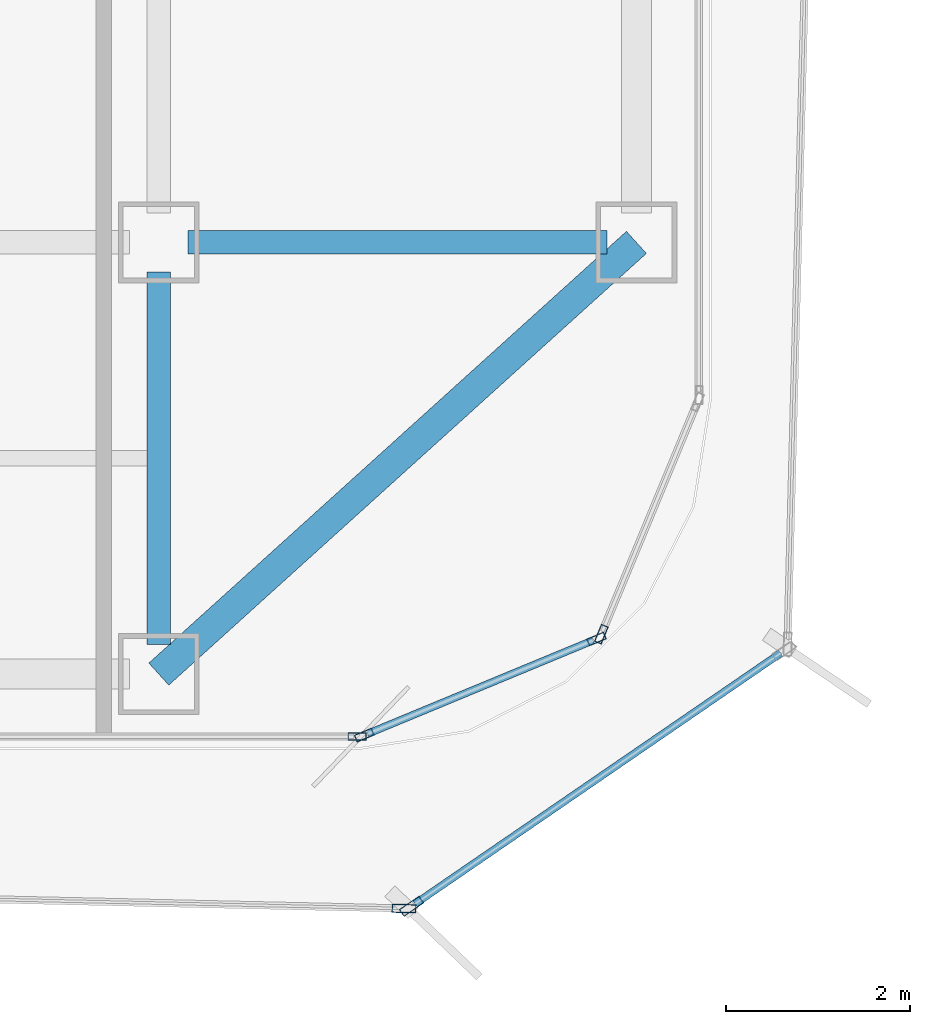
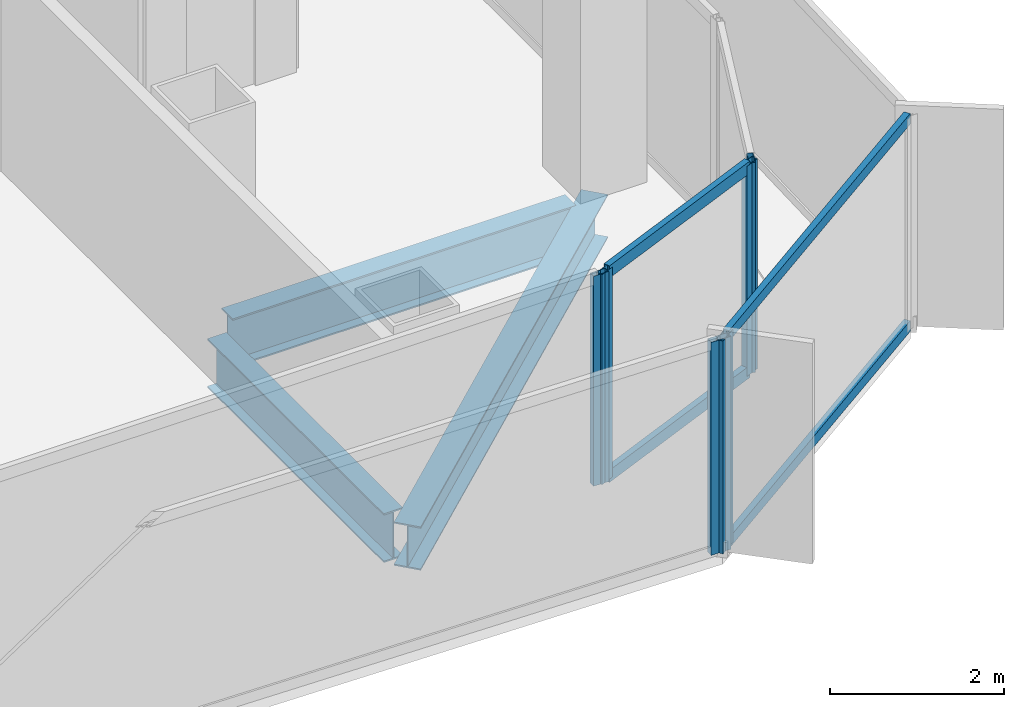
# One storey, part 6 of 21: 10 members, 3 beams, 5 elements without a shape of their own.
"""IFC4 building model written with IfcOpenShell, lengths in metres."""

from ifc_helpers import new_model, si_unit, direction, frame, origin, origin_2d, place, context, subcontext, project, spatial, hollow_rectangle, i_section, extrude, source, transform, mapped, material, layer, layer_set, material_profile, profile_set, type_object, element, aggregate, save


model = new_model("IFC4")

# Units and contexts
model_context = context("Model", 3, precision=1e-05, world=origin(), true_north=direction((0.0, 1.0)))
body_context = subcontext(model_context, "Body", "Model", "MODEL_VIEW")
ifc_project = project(units=[si_unit("LENGTHUNIT", "METRE"), si_unit("AREAUNIT", "SQUARE_METRE"), si_unit("VOLUMEUNIT", "CUBIC_METRE"), si_unit("PLANEANGLEUNIT", "RADIAN"), si_unit("MASSUNIT", "GRAM", prefix="KILO")], contexts=[model_context])

# Site, building, storey
site_placement = place(None, origin())
site = spatial("IfcSite", under=ifc_project, at=site_placement, CompositionType="ELEMENT")
building_placement = place(site_placement, origin())
building = spatial("IfcBuilding", under=site, at=building_placement, Name="Kolveth Station Tower", CompositionType="ELEMENT")
storey_placement = place(building_placement, frame((0.0, 0.0, 134.300048828125)))
storey = spatial("IfcBuildingStorey", under=building, at=storey_placement, Name="L37", CompositionType="ELEMENT", Elevation=134.300048828125)

# Beams
ifc_material_1 = material(Name="Steel S355", Category="steel")
ifc_material_profile_1 = material_profile(ifc_material_1, i_section(OverallWidth=0.323974609375, OverallDepth=0.611083984375, WebThickness=0.0126953125, FlangeThickness=0.01904296875, at=origin_2d()), Name="W610x155")
ifc_profile_set_1 = profile_set([ifc_material_profile_1], Name="Steel S355")
beam_type_1 = type_object("IfcBeamType", Name="Beam_SP2", PredefinedType="SPANDREL", material=ifc_profile_set_1)
shared_shape_1 = source(origin(), body_context, "Body", "SweptSolid", [
    extrude(i_section(OverallWidth=0.323974609375, OverallDepth=0.611083984375, WebThickness=0.0126953125, FlangeThickness=0.01904296875, at=origin_2d()), origin(), (0.0, 0.0, 1.0), 7.00927734375),
])
beam_1_placement = place(storey_placement, frame((41.0, 0.800048828125, -0.5556640625), z_axis=(0.741874009795, 0.670539300557, 0.0), x_axis=(-0.670539300557, 0.741874009795, 0.0)))
element("IfcBeam", 1, at=beam_1_placement, inside=storey, type_object=beam_type_1, Name="L37 Corner Edge Girder BM-L37-CNR-SE", PredefinedType="SPANDREL", context=body_context, shape_type="MappedRepresentation", body=[
    mapped(shared_shape_1, transform((0.0, 0.0, 0.0), x_axis=(1.0, 0.0, 0.0), y_axis=(0.0, 1.0, 0.0), z_axis=(0.0, 0.0, 1.0), scale=1.0)),
])
ifc_material_profile_2 = material_profile(ifc_material_1, i_section(OverallWidth=0.25390625, OverallDepth=0.68798828125, WebThickness=0.01318359375, FlangeThickness=0.02099609375, at=origin_2d()), Name="W690x152")
ifc_profile_set_2 = profile_set([ifc_material_profile_2], Name="Steel S355")
beam_type_2 = type_object("IfcBeamType", Name="Beam_B4", PredefinedType="BEAM", material=ifc_profile_set_2)
shared_shape_2 = source(origin(), body_context, "Body", "SweptSolid", [
    extrude(i_section(OverallWidth=0.25390625, OverallDepth=0.68798828125, WebThickness=0.01318359375, FlangeThickness=0.02099609375, at=origin_2d()), origin(), (0.0, 0.0, 1.0), 4.559814453125),
])
beam_2_placement = place(storey_placement, frame((41.320068359375, 5.5, -0.593994140625), z_axis=(1.0, 0.0, 0.0), x_axis=(0.0, 1.0, 0.0)))
element("IfcBeam", 2, at=beam_2_placement, inside=storey, type_object=beam_type_2, Name="L37 Primary Girder BM-L37-GY55-7", PredefinedType="BEAM", context=body_context, shape_type="MappedRepresentation", body=[
    mapped(shared_shape_2, transform((0.0, 0.0, 0.0), x_axis=(1.0, 0.0, 0.0), y_axis=(0.0, 1.0, 0.0), z_axis=(0.0, 0.0, 1.0), scale=1.0)),
])
shared_shape_3 = source(origin(), body_context, "Body", "SweptSolid", [
    extrude(i_section(OverallWidth=0.25390625, OverallDepth=0.68798828125, WebThickness=0.01318359375, FlangeThickness=0.02099609375, at=origin_2d()), origin(), (0.0, 0.0, 1.0), 4.059814453125),
])
beam_3_placement = place(storey_placement, frame((41.0, 1.1201171875, -0.593994140625), z_axis=(0.0, 1.0, 0.0), x_axis=(-1.0, 0.0, 0.0)))
element("IfcBeam", 3, at=beam_3_placement, inside=storey, type_object=beam_type_2, Name="L37 Primary Girder BM-L37-GX410-1", PredefinedType="BEAM", context=body_context, shape_type="MappedRepresentation", body=[
    mapped(shared_shape_3, transform((0.0, 0.0, 0.0), x_axis=(1.0, 0.0, 0.0), y_axis=(0.0, 1.0, 0.0), z_axis=(0.0, 0.0, 1.0), scale=1.0)),
])

# Curtain wall, members
ifc_material_2 = material(Name="Aluminium 6063-T6 and low-E dark glass", Category="aluminium")
ifc_layer_1 = layer(ifc_material_2, 0.18994140625)
ifc_layer_set_1 = layer_set([ifc_layer_1], Name="Aluminium 6063-T6 and low-E dark glass")
curtain_wall_type_1 = type_object("IfcCurtainWallType", Name="CurtainWall_CW-Z2", PredefinedType="NOTDEFINED", material=ifc_layer_set_1)
curtain_wall_1_placement = place(storey_placement, origin())
curtain_wall_1 = element("IfcCurtainWall", 4, at=curtain_wall_1_placement, inside=storey, type_object=curtain_wall_type_1, Name="L37 Inner Thermal Curtain Wall 1", PredefinedType="NOTDEFINED")
ifc_material_3 = material(Name="Black anodized aluminium 6063-T6", Category="aluminium")
ifc_material_profile_3 = material_profile(ifc_material_3, hollow_rectangle(XDim=0.080078125, YDim=0.199951171875, WallThickness=0.0048828125, at=origin_2d()), Name="ALU-80x200x5")
ifc_profile_set_3 = profile_set([ifc_material_profile_3], Name="Black anodized aluminium 6063-T6")
member_type_1 = type_object("IfcMemberType", Name="Mullion_ML2", PredefinedType="MULLION", material=ifc_profile_set_3)
shared_shape_4 = source(origin(), body_context, "Body", "SweptSolid", [
    extrude(hollow_rectangle(XDim=0.080078125, YDim=0.199951171875, WallThickness=0.0048828125, at=origin_2d()), origin(), (0.0, 0.0, 1.0), 2.949951171875),
])
member_1_placement = place(storey_placement, frame((43.237060546875, 0.13525390625, 0.0), z_axis=(0.0, 0.0, 1.0), x_axis=(-0.38266326998, 0.923887883787, 0.0)))
member_1 = element("IfcMember", 5, at=member_1_placement, type_object=member_type_1, Name="CW-Z2 mullion 1", PredefinedType="MULLION", context=body_context, shape_type="MappedRepresentation", body=[
    mapped(shared_shape_4, transform((0.0, 0.0, 0.0), x_axis=(1.0, 0.0, 0.0), y_axis=(0.0, 1.0, 0.0), z_axis=(0.0, 0.0, 1.0), scale=1.0)),
])
member_2_placement = place(storey_placement, frame((45.76513671875, 1.182373046875, 0.0), z_axis=(0.0, 0.0, 1.0), x_axis=(-0.38266326998, 0.923887883787, 0.0)))
member_2 = element("IfcMember", 6, at=member_2_placement, type_object=member_type_1, Name="CW-Z2 mullion 2", PredefinedType="MULLION", context=body_context, shape_type="MappedRepresentation", body=[
    mapped(shared_shape_4, transform((0.0, 0.0, 0.0), x_axis=(1.0, 0.0, 0.0), y_axis=(0.0, 1.0, 0.0), z_axis=(0.0, 0.0, 1.0), scale=1.0)),
])

# Curtain wall, member
curtain_wall_2_placement = place(storey_placement, origin())
curtain_wall_2 = element("IfcCurtainWall", 7, at=curtain_wall_2_placement, inside=storey, type_object=curtain_wall_type_1, Name="L37 Inner Thermal Curtain Wall 2", PredefinedType="NOTDEFINED")
member_3_placement = place(storey_placement, frame((45.817626953125, 1.23486328125, 0.0), z_axis=(0.0, 0.0, 1.0), x_axis=(-0.923887883787, 0.38266326998, 0.0)))
member_3 = element("IfcMember", 8, at=member_3_placement, type_object=member_type_1, Name="CW-Z2 mullion 1", PredefinedType="MULLION", context=body_context, shape_type="MappedRepresentation", body=[
    mapped(shared_shape_4, transform((0.0, 0.0, 0.0), x_axis=(1.0, 0.0, 0.0), y_axis=(0.0, 1.0, 0.0), z_axis=(0.0, 0.0, 1.0), scale=1.0)),
])
aggregate(curtain_wall_2, [member_3])

curtain_wall_3_placement = place(storey_placement, origin())
curtain_wall_3 = element("IfcCurtainWall", 9, at=curtain_wall_3_placement, inside=storey, type_object=curtain_wall_type_1, Name="L37 Inner Thermal Curtain Wall 12", PredefinedType="NOTDEFINED")
member_4_placement = place(storey_placement, frame((43.159912109375, 0.1201171875, 0.0), z_axis=(0.0, 0.0, 1.0), x_axis=(0.0, 1.0, 0.0)))
member_4 = element("IfcMember", 10, at=member_4_placement, type_object=member_type_1, Name="CW-Z2 mullion 3", PredefinedType="MULLION", context=body_context, shape_type="MappedRepresentation", body=[
    mapped(shared_shape_4, transform((0.0, 0.0, 0.0), x_axis=(1.0, 0.0, 0.0), y_axis=(0.0, 1.0, 0.0), z_axis=(0.0, 0.0, 1.0), scale=1.0)),
])
aggregate(curtain_wall_3, [member_4])

# Member
ifc_material_profile_4 = material_profile(ifc_material_3, hollow_rectangle(XDim=0.080078125, YDim=0.169921875, WallThickness=0.0048828125, at=origin_2d()), Name="ALU-80x170x5")
ifc_profile_set_4 = profile_set([ifc_material_profile_4], Name="Black anodized aluminium 6063-T6")
member_type_2 = type_object("IfcMemberType", Name="Transom_TR2", PredefinedType="USERDEFINED", material=ifc_profile_set_4)
shared_shape_5 = source(origin(), body_context, "Body", "SweptSolid", [
    extrude(hollow_rectangle(XDim=0.080078125, YDim=0.169921875, WallThickness=0.0048828125, at=origin_2d()), origin(), (0.0, 0.0, 1.0), 2.656494140625),
])
member_5_placement = place(storey_placement, frame((43.27392578125, 0.150634765625, 0.0400390625), z_axis=(0.923882422403, 0.382676455475, 0.0), x_axis=(-0.382676455475, 0.923882422403, 0.0)))
member_5 = element("IfcMember", 11, at=member_5_placement, type_object=member_type_2, Name="CW-Z2 transom 1.1", ObjectType="TRANSOM", PredefinedType="USERDEFINED", context=body_context, shape_type="MappedRepresentation", body=[
    mapped(shared_shape_5, transform((0.0, 0.0, 0.0), x_axis=(1.0, 0.0, 0.0), y_axis=(0.0, 1.0, 0.0), z_axis=(0.0, 0.0, 1.0), scale=1.0)),
])

member_6_placement = place(storey_placement, frame((43.27392578125, 0.150634765625, 2.909912109375), z_axis=(0.923882422403, 0.382676455475, 0.0), x_axis=(-0.382676455475, 0.923882422403, 0.0)))
member_6 = element("IfcMember", 12, at=member_6_placement, type_object=member_type_2, Name="CW-Z2 transom 1.2", ObjectType="TRANSOM", PredefinedType="USERDEFINED", context=body_context, shape_type="MappedRepresentation", body=[
    mapped(shared_shape_5, transform((0.0, 0.0, 0.0), x_axis=(1.0, 0.0, 0.0), y_axis=(0.0, 1.0, 0.0), z_axis=(0.0, 0.0, 1.0), scale=1.0)),
])

aggregate(curtain_wall_1, [member_1, member_2, member_5, member_6])

# Curtain wall, member
ifc_material_4 = material(Name="Black anodized aluminium 6063-T6 and dark solar glass", Category="aluminium")
ifc_layer_2 = layer(ifc_material_4, 0.159912109375)
ifc_layer_set_2 = layer_set([ifc_layer_2], Name="Black anodized aluminium 6063-T6 and dark solar glass")
curtain_wall_type_2 = type_object("IfcCurtainWallType", Name="OUTER SKIN CW-OS", PredefinedType="NOTDEFINED", material=ifc_layer_set_2)
curtain_wall_4_placement = place(storey_placement, origin())
curtain_wall_4 = element("IfcCurtainWall", 13, at=curtain_wall_4_placement, inside=storey, type_object=curtain_wall_type_2, Name="L37 Outer Ventilated Skin Curtain Wall 1", PredefinedType="NOTDEFINED")
ifc_material_profile_5 = material_profile(ifc_material_3, hollow_rectangle(XDim=0.090087890625, YDim=0.260009765625, WallThickness=0.0048828125, at=origin_2d()), Name="ALU-90x260x5")
ifc_profile_set_5 = profile_set([ifc_material_profile_5], Name="Black anodized aluminium 6063-T6")
member_type_3 = type_object("IfcMemberType", Name="FIN MULLION ML-OS", PredefinedType="MULLION", material=ifc_profile_set_5)
shared_shape_6 = source(origin(), body_context, "Body", "SweptSolid", [
    extrude(hollow_rectangle(XDim=0.090087890625, YDim=0.260009765625, WallThickness=0.0048828125, at=origin_2d()), origin(), (0.0, 0.0, 1.0), 2.989990234375),
])
member_7_placement = place(storey_placement, frame((43.75146484375, -1.727783203125, 0.0), z_axis=(0.0, 0.0, 1.0), x_axis=(-0.565598966987, 0.824680428132, 0.0)))
member_7 = element("IfcMember", 14, at=member_7_placement, type_object=member_type_3, Name="CW-OS mullion 1", PredefinedType="MULLION", context=body_context, shape_type="MappedRepresentation", body=[
    mapped(shared_shape_6, transform((0.0, 0.0, 0.0), x_axis=(1.0, 0.0, 0.0), y_axis=(0.0, 1.0, 0.0), z_axis=(0.0, 0.0, 1.0), scale=1.0)),
])

curtain_wall_5_placement = place(storey_placement, origin())
curtain_wall_5 = element("IfcCurtainWall", 15, at=curtain_wall_5_placement, inside=storey, type_object=curtain_wall_type_2, Name="L37 Outer Ventilated Skin Curtain Wall 8", PredefinedType="NOTDEFINED")
member_8_placement = place(storey_placement, frame((43.66943359375, -1.752197265625, 0.0), z_axis=(0.0, 0.0, 1.0), x_axis=(0.022083581739, 0.999756127972, 0.0)))
member_8 = element("IfcMember", 16, at=member_8_placement, type_object=member_type_3, Name="CW-OS mullion 2", PredefinedType="MULLION", context=body_context, shape_type="MappedRepresentation", body=[
    mapped(shared_shape_6, transform((0.0, 0.0, 0.0), x_axis=(1.0, 0.0, 0.0), y_axis=(0.0, 1.0, 0.0), z_axis=(0.0, 0.0, 1.0), scale=1.0)),
])
aggregate(curtain_wall_5, [member_8])

# Member
ifc_material_profile_6 = material_profile(ifc_material_3, hollow_rectangle(XDim=0.080078125, YDim=0.14990234375, WallThickness=0.0048828125, at=origin_2d()), Name="ALU-80x150x5")
ifc_profile_set_6 = profile_set([ifc_material_profile_6], Name="Black anodized aluminium 6063-T6")
member_type_4 = type_object("IfcMemberType", Name="Transom_TR-OS", PredefinedType="USERDEFINED", material=ifc_profile_set_6)
shared_shape_7 = source(origin(), body_context, "Body", "SweptSolid", [
    extrude(hollow_rectangle(XDim=0.080078125, YDim=0.14990234375, WallThickness=0.0048828125, at=origin_2d()), origin(), (0.0, 0.0, 1.0), 4.8291015625),
])
member_9_placement = place(storey_placement, frame((43.78857421875, -1.702392578125, 0.0400390625), z_axis=(0.824690447742, 0.56558435746, 0.0), x_axis=(-0.56558435746, 0.824690447742, 0.0)))
member_9 = element("IfcMember", 17, at=member_9_placement, type_object=member_type_4, Name="CW-OS transom 1.1", ObjectType="TRANSOM", PredefinedType="USERDEFINED", context=body_context, shape_type="MappedRepresentation", body=[
    mapped(shared_shape_7, transform((0.0, 0.0, 0.0), x_axis=(1.0, 0.0, 0.0), y_axis=(0.0, 1.0, 0.0), z_axis=(0.0, 0.0, 1.0), scale=1.0)),
])

member_10_placement = place(storey_placement, frame((43.78857421875, -1.702392578125, 2.949951171875), z_axis=(0.824690447742, 0.56558435746, 0.0), x_axis=(-0.56558435746, 0.824690447742, 0.0)))
member_10 = element("IfcMember", 18, at=member_10_placement, type_object=member_type_4, Name="CW-OS transom 1.2", ObjectType="TRANSOM", PredefinedType="USERDEFINED", context=body_context, shape_type="MappedRepresentation", body=[
    mapped(shared_shape_7, transform((0.0, 0.0, 0.0), x_axis=(1.0, 0.0, 0.0), y_axis=(0.0, 1.0, 0.0), z_axis=(0.0, 0.0, 1.0), scale=1.0)),
])

aggregate(curtain_wall_4, [member_7, member_9, member_10])

save(model, "model.ifc")
